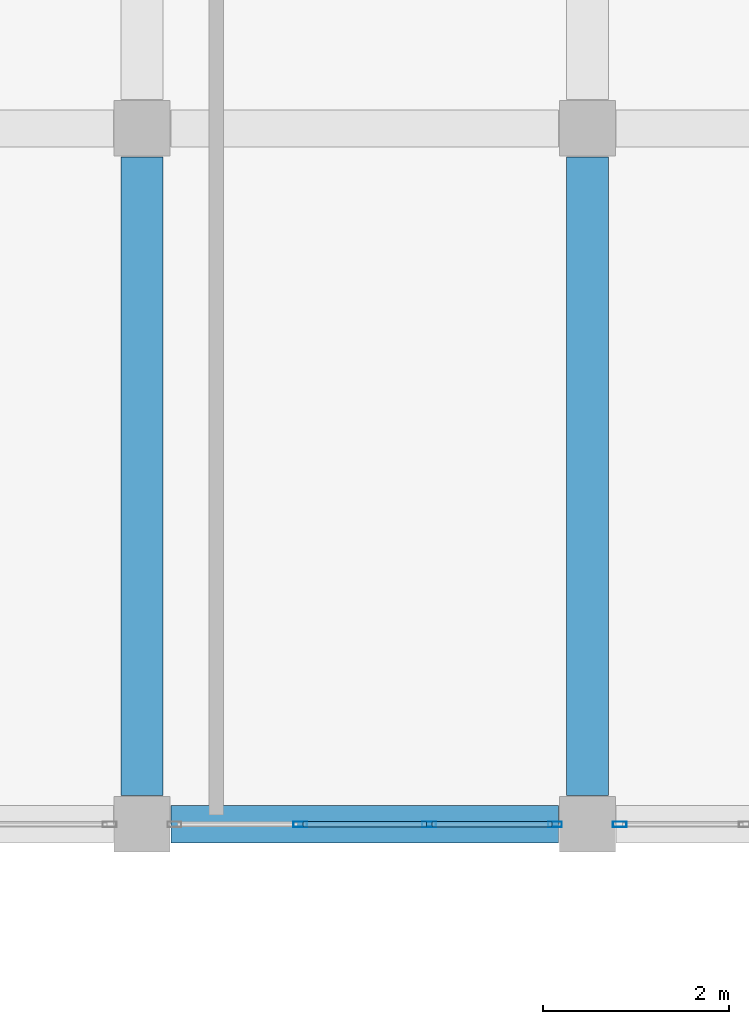
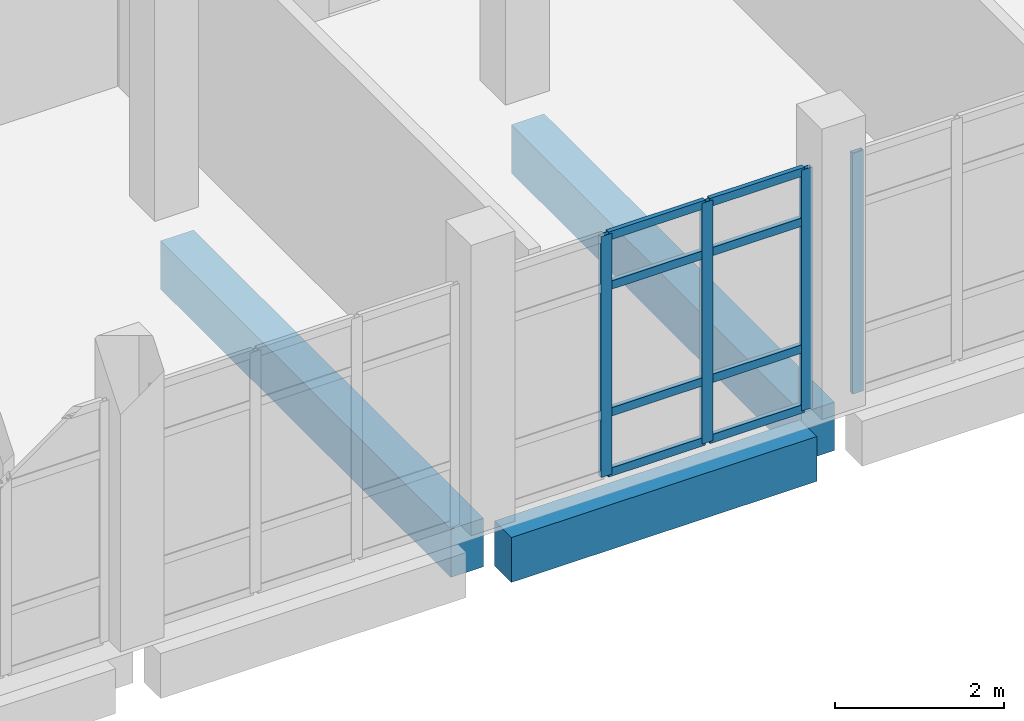
# One storey, part 88 of 164: 12 members, 3 beams, 2 elements without a shape of their own.
"""IFC4 building model written with IfcOpenShell, lengths in metres."""

from ifc_helpers import new_model, si_unit, direction, frame, origin, origin_2d, place, context, subcontext, project, spatial, rectangle, hollow_rectangle, extrude, material, layer, layer_set, material_profile, profile_set, type_object, element, aggregate, save


model = new_model("IFC4")

# Units and contexts
model_context = context("Model", 3, precision=1e-05, world=origin(), true_north=direction((0.0, 1.0)))
body_context = subcontext(model_context, "Body", "Model", "MODEL_VIEW")
ifc_project = project(units=[si_unit("LENGTHUNIT", "METRE"), si_unit("AREAUNIT", "SQUARE_METRE"), si_unit("VOLUMEUNIT", "CUBIC_METRE"), si_unit("PLANEANGLEUNIT", "RADIAN"), si_unit("MASSUNIT", "GRAM", prefix="KILO")], contexts=[model_context])

# Site, building, storey
site_placement = place(None, origin())
site = spatial("IfcSite", under=ifc_project, at=site_placement, CompositionType="ELEMENT")
building_placement = place(site_placement, origin())
building = spatial("IfcBuilding", under=site, at=building_placement, Name="Mawjan Specialist Oncology Clinic", CompositionType="ELEMENT")
storey_placement = place(building_placement, frame((0.0, 0.0, 5.0)))
storey = spatial("IfcBuildingStorey", under=building, at=storey_placement, Name="L01", CompositionType="ELEMENT", Elevation=5.0)

# Beams
ifc_material_1 = material(Name="Concrete C40/50", Category="concrete")
ifc_material_profile_1 = material_profile(ifc_material_1, rectangle(XDim=0.449951171875, YDim=0.699951171875, at=origin_2d()), Name="RC BM 450x700", Category="concrete")
ifc_profile_set_1 = profile_set([ifc_material_profile_1], Name="Concrete C40/50")
beam_type_1 = type_object("IfcBeamType", Name="BM-450x700", PredefinedType="BEAM", material=ifc_profile_set_1)
for number, where, z_axis, x_axis, name in (
    (1, (74.39990234375, 83.610107421875, -0.64990234375), (0.0, 1.0, 0.0), (-1.0, 0.0, 0.0), "L01 Collector Beam BM-L01-0510"),
    (2, (79.199951171875, 83.610107421875, -0.64990234375), (0.0, 1.0, 0.0), (-1.0, 0.0, 0.0), "L01 Collector Beam BM-L01-0516"),
):
    element("IfcBeam", number, at=place(storey_placement, frame(where, z_axis=z_axis, x_axis=x_axis)), inside=storey, type_object=beam_type_1, Name=name, PredefinedType="BEAM", context=body_context, shape_type="SweptSolid", body=[
        extrude(rectangle(XDim=0.449951171875, YDim=0.699951171875, at=origin_2d()), origin(), (0.0, 0.0, 1.0), 6.8798828125),
    ])

# Curtain wall, member
ifc_material_2 = material(Name="Unitised spectrally selective aluminium curtain wall", Category="aluminium")
ifc_layer = layer(ifc_material_2, 0.179931640625, Name="Unitised spectrally selective aluminium curtain wall", Category="aluminium")
ifc_layer_set = layer_set([ifc_layer], Name="Unitised spectrally selective aluminium curtain wall")
curtain_wall_type = type_object("IfcCurtainWallType", Name="CW-58", PredefinedType="NOTDEFINED", material=ifc_layer_set)
curtain_wall_1_placement = place(storey_placement, origin())
curtain_wall_1 = element("IfcCurtainWall", 3, at=curtain_wall_1_placement, inside=storey, type_object=curtain_wall_type, Name="L01 Unitised Curtain Wall CW-L01-109", PredefinedType="NOTDEFINED")
ifc_material_3 = material(Name="Thermally broken aluminium 6063-T6", Category="aluminium")
ifc_material_profile_2 = material_profile(ifc_material_3, hollow_rectangle(XDim=0.06005859375, YDim=0.14990234375, WallThickness=0.00390625, at=origin_2d()), Name="ALU MULLION 150x60x4", Category="aluminium")
ifc_profile_set_2 = profile_set([ifc_material_profile_2], Name="Thermally broken aluminium 6063-T6")
member_type_1 = type_object("IfcMemberType", Name="CW-M150", PredefinedType="MULLION", material=ifc_profile_set_2)
member_1_placement = place(storey_placement, frame((79.550048828125, 83.300048828125, 0.0), z_axis=(0.0, 0.0, 1.0), x_axis=(0.0, -1.0, 0.0)))
member_1 = element("IfcMember", 4, at=member_1_placement, type_object=member_type_1, Name="CW-58 mullion 4", PredefinedType="MULLION", context=body_context, shape_type="SweptSolid", body=[
    extrude(hollow_rectangle(XDim=0.06005859375, YDim=0.14990234375, WallThickness=0.00390625, at=origin_2d()), origin(), (0.0, 0.0, 1.0), 3.485107421875),
])
aggregate(curtain_wall_1, [member_1])

# Curtain wall, members
curtain_wall_2_placement = place(storey_placement, origin())
curtain_wall_2 = element("IfcCurtainWall", 5, at=curtain_wall_2_placement, inside=storey, type_object=curtain_wall_type, Name="L01 Unitised Curtain Wall CW-L01-110", PredefinedType="NOTDEFINED")
member_2_placement = place(storey_placement, frame((78.85009765625, 83.300048828125, 0.0), z_axis=(0.0, 0.0, 1.0), x_axis=(0.0, -1.0, 0.0)))
member_2 = element("IfcMember", 6, at=member_2_placement, type_object=member_type_1, Name="CW-58 mullion 1", PredefinedType="MULLION", context=body_context, shape_type="SweptSolid", body=[
    extrude(hollow_rectangle(XDim=0.06005859375, YDim=0.14990234375, WallThickness=0.00390625, at=origin_2d()), origin(), (0.0, 0.0, 1.0), 3.485107421875),
])
member_3_placement = place(storey_placement, frame((77.493408203125, 83.300048828125, 0.0), z_axis=(0.0, 0.0, 1.0), x_axis=(0.0, -1.0, 0.0)))
member_3 = element("IfcMember", 7, at=member_3_placement, type_object=member_type_1, Name="CW-58 mullion 2", PredefinedType="MULLION", context=body_context, shape_type="SweptSolid", body=[
    extrude(hollow_rectangle(XDim=0.06005859375, YDim=0.14990234375, WallThickness=0.00390625, at=origin_2d()), origin(), (0.0, 0.0, 1.0), 3.485107421875),
])
member_4_placement = place(storey_placement, frame((76.106689453125, 83.300048828125, 0.0), z_axis=(0.0, 0.0, 1.0), x_axis=(0.0, -1.0, 0.0)))
member_4 = element("IfcMember", 8, at=member_4_placement, type_object=member_type_1, Name="CW-58 mullion 3", PredefinedType="MULLION", context=body_context, shape_type="SweptSolid", body=[
    extrude(hollow_rectangle(XDim=0.06005859375, YDim=0.14990234375, WallThickness=0.00390625, at=origin_2d()), origin(), (0.0, 0.0, 1.0), 3.485107421875),
])
ifc_material_4 = material(Name="Thermally broken aluminium 6063-T6", Category="aluminium")
ifc_material_profile_3 = material_profile(ifc_material_4, hollow_rectangle(XDim=0.06005859375, YDim=0.1201171875, WallThickness=0.00390625, at=origin_2d()), Name="ALU TRANSOM 120x60x4", Category="aluminium")
ifc_profile_set_3 = profile_set([ifc_material_profile_3], Name="Thermally broken aluminium 6063-T6")
member_type_2 = type_object("IfcMemberType", Name="CW-T120", PredefinedType="USERDEFINED", material=ifc_profile_set_3)
member_5_placement = place(storey_placement, frame((78.820068359375, 83.300048828125, 0.030029296875), z_axis=(-1.0, 0.0, 0.0), x_axis=(0.0, -1.0, 0.0)))
member_5 = element("IfcMember", 9, at=member_5_placement, type_object=member_type_2, Name="CW-58 transom 1.1", ObjectType="TRANSOM", PredefinedType="USERDEFINED", context=body_context, shape_type="SweptSolid", body=[
    extrude(hollow_rectangle(XDim=0.06005859375, YDim=0.1201171875, WallThickness=0.00390625, at=origin_2d()), origin(), (0.0, 0.0, 1.0), 1.296630859375),
])
member_6_placement = place(storey_placement, frame((78.820068359375, 83.300048828125, 0.89990234375), z_axis=(-1.0, 0.0, 0.0), x_axis=(0.0, -1.0, 0.0)))
member_6 = element("IfcMember", 10, at=member_6_placement, type_object=member_type_2, Name="CW-58 transom 1.2", ObjectType="TRANSOM", PredefinedType="USERDEFINED", context=body_context, shape_type="SweptSolid", body=[
    extrude(hollow_rectangle(XDim=0.06005859375, YDim=0.1201171875, WallThickness=0.00390625, at=origin_2d()), origin(), (0.0, 0.0, 1.0), 1.296630859375),
])
member_7_placement = place(storey_placement, frame((78.820068359375, 83.300048828125, 2.735107421875), z_axis=(-1.0, 0.0, 0.0), x_axis=(0.0, -1.0, 0.0)))
member_7 = element("IfcMember", 11, at=member_7_placement, type_object=member_type_2, Name="CW-58 transom 1.3", ObjectType="TRANSOM", PredefinedType="USERDEFINED", context=body_context, shape_type="SweptSolid", body=[
    extrude(hollow_rectangle(XDim=0.06005859375, YDim=0.1201171875, WallThickness=0.00390625, at=origin_2d()), origin(), (0.0, 0.0, 1.0), 1.296630859375),
])
member_8_placement = place(storey_placement, frame((78.820068359375, 83.300048828125, 3.455078125), z_axis=(-1.0, 0.0, 0.0), x_axis=(0.0, -1.0, 0.0)))
member_8 = element("IfcMember", 12, at=member_8_placement, type_object=member_type_2, Name="CW-58 transom 1.4", ObjectType="TRANSOM", PredefinedType="USERDEFINED", context=body_context, shape_type="SweptSolid", body=[
    extrude(hollow_rectangle(XDim=0.06005859375, YDim=0.1201171875, WallThickness=0.00390625, at=origin_2d()), origin(), (0.0, 0.0, 1.0), 1.296630859375),
])
member_9_placement = place(storey_placement, frame((77.46337890625, 83.300048828125, 0.030029296875), z_axis=(-1.0, 0.0, 0.0), x_axis=(0.0, -1.0, 0.0)))
member_9 = element("IfcMember", 13, at=member_9_placement, type_object=member_type_2, Name="CW-58 transom 2.1", ObjectType="TRANSOM", PredefinedType="USERDEFINED", context=body_context, shape_type="SweptSolid", body=[
    extrude(hollow_rectangle(XDim=0.06005859375, YDim=0.1201171875, WallThickness=0.00390625, at=origin_2d()), origin(), (0.0, 0.0, 1.0), 1.32666015625),
])
member_10_placement = place(storey_placement, frame((77.46337890625, 83.300048828125, 0.89990234375), z_axis=(-1.0, 0.0, 0.0), x_axis=(0.0, -1.0, 0.0)))
member_10 = element("IfcMember", 14, at=member_10_placement, type_object=member_type_2, Name="CW-58 transom 2.2", ObjectType="TRANSOM", PredefinedType="USERDEFINED", context=body_context, shape_type="SweptSolid", body=[
    extrude(hollow_rectangle(XDim=0.06005859375, YDim=0.1201171875, WallThickness=0.00390625, at=origin_2d()), origin(), (0.0, 0.0, 1.0), 1.32666015625),
])
member_11_placement = place(storey_placement, frame((77.46337890625, 83.300048828125, 2.735107421875), z_axis=(-1.0, 0.0, 0.0), x_axis=(0.0, -1.0, 0.0)))
member_11 = element("IfcMember", 15, at=member_11_placement, type_object=member_type_2, Name="CW-58 transom 2.3", ObjectType="TRANSOM", PredefinedType="USERDEFINED", context=body_context, shape_type="SweptSolid", body=[
    extrude(hollow_rectangle(XDim=0.06005859375, YDim=0.1201171875, WallThickness=0.00390625, at=origin_2d()), origin(), (0.0, 0.0, 1.0), 1.32666015625),
])
member_12_placement = place(storey_placement, frame((77.46337890625, 83.300048828125, 3.455078125), z_axis=(-1.0, 0.0, 0.0), x_axis=(0.0, -1.0, 0.0)))
member_12 = element("IfcMember", 16, at=member_12_placement, type_object=member_type_2, Name="CW-58 transom 2.4", ObjectType="TRANSOM", PredefinedType="USERDEFINED", context=body_context, shape_type="SweptSolid", body=[
    extrude(hollow_rectangle(XDim=0.06005859375, YDim=0.1201171875, WallThickness=0.00390625, at=origin_2d()), origin(), (0.0, 0.0, 1.0), 1.32666015625),
])
aggregate(curtain_wall_2, [member_2, member_3, member_4, member_5, member_6, member_7, member_8, member_9, member_10, member_11, member_12])

# Beam
ifc_material_5 = material(Name="Concrete C45/55", Category="concrete")
ifc_material_profile_4 = material_profile(ifc_material_5, rectangle(XDim=0.39990234375, YDim=0.64990234375, at=origin_2d()), Name="RC BM 400x650", Category="concrete")
ifc_profile_set_4 = profile_set([ifc_material_profile_4], Name="Concrete C45/55")
beam_type_2 = type_object("IfcBeamType", Name="SP-400x650", PredefinedType="SPANDREL", material=ifc_profile_set_4)
beam_placement = place(storey_placement, frame((74.7099609375, 83.300048828125, -0.625), z_axis=(1.0, 0.0, 0.0), x_axis=(0.0, 1.0, 0.0)))
element("IfcBeam", 17, at=beam_placement, inside=storey, type_object=beam_type_2, Name="L01 Spandrel Beam BM-L01-0346", PredefinedType="SPANDREL", context=body_context, shape_type="SweptSolid", body=[
    extrude(rectangle(XDim=0.39990234375, YDim=0.64990234375, at=origin_2d()), origin(), (0.0, 0.0, 1.0), 4.179931640625),
])

save(model, "model.ifc")
